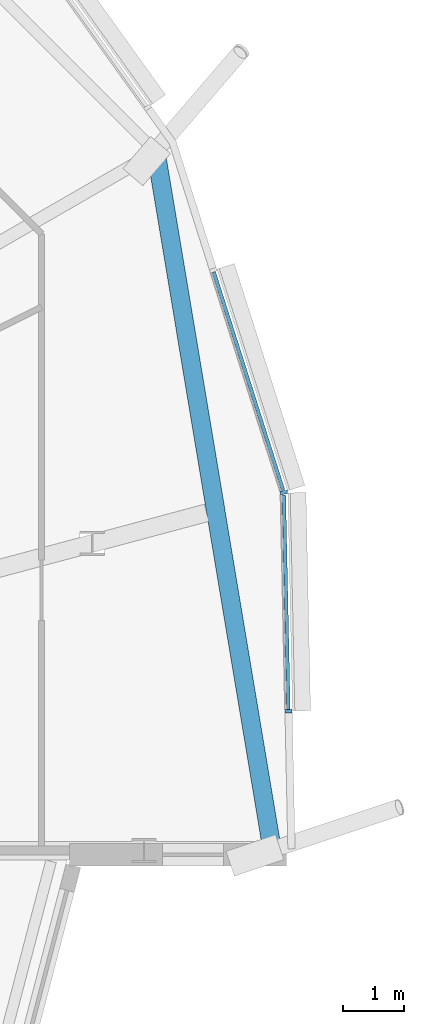
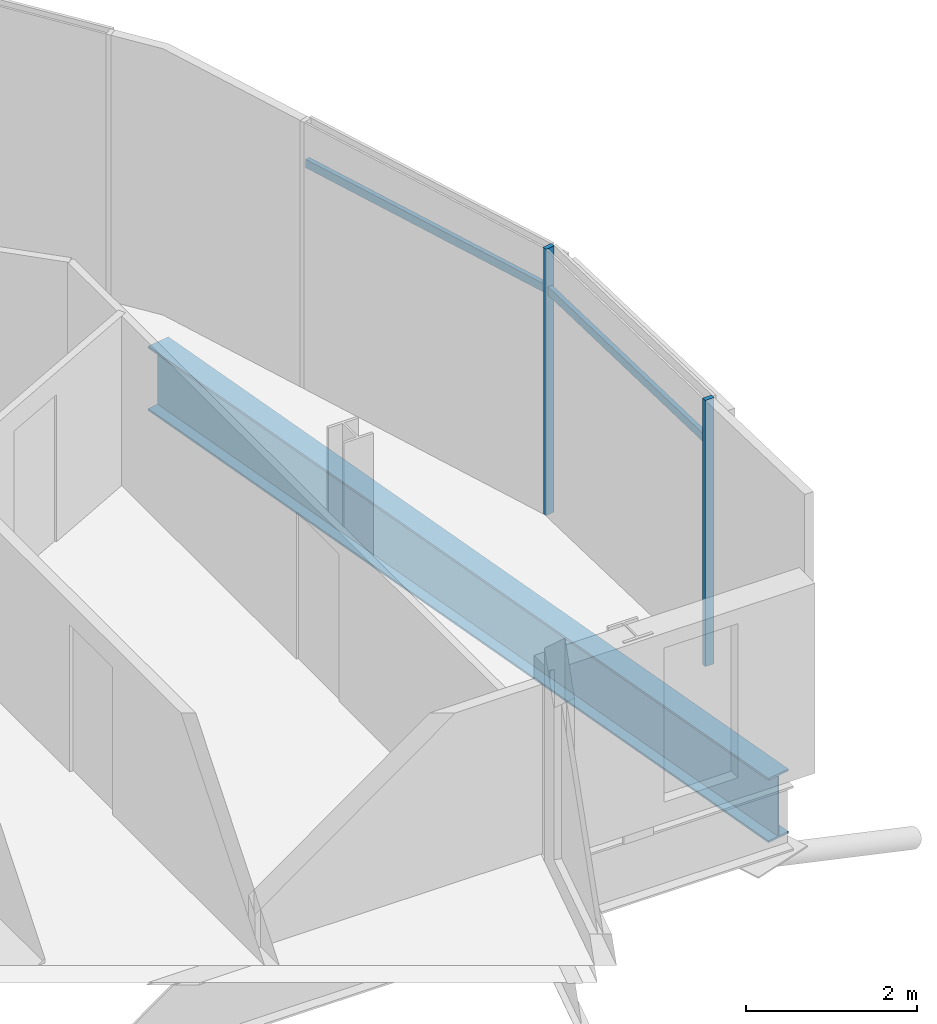
# One storey, part 15 of 39: 4 members, 1 beam, 1 element without a shape of its own.
"""IFC4 building model written with IfcOpenShell, lengths in metres."""

import ifcopenshell
import ifcopenshell.guid

model = None  # the IFC model being written
_history = None  # IfcOwnerHistory: only IFC2X3 demands one
_inside = {}  # id of a spatial element -> (the spatial element, [elements in it])
_under = {}  # id of a project, library or spatial element -> (it, [spatial elements below it])
_declared = {}  # id of a project -> (the project, [libraries it declares])
_typed = {}  # id of a type object -> (the type object, [elements of that type])
_made_of = {}  # id of a material, layer set ... -> (it, [elements and type objects made of it])


def new_model(schema):
    """Start an empty IFC model of exactly this schema.

    Asked for "IFC4X3", IfcOpenShell would pick the latest addendum, in which some entities
    have other attributes; the version numbers below select the first issue.
    IFC2X3 requires an IfcOwnerHistory on every rooted entity: one is made here for all.
    """
    global model, _history
    if schema == "IFC4X3":
        model = ifcopenshell.file(schema_version=(4, 3, 0, 0))
    else:
        model = ifcopenshell.file(schema=schema)
    _inside.clear()
    _under.clear()
    _declared.clear()
    _typed.clear()
    _made_of.clear()
    _history = None
    if model.schema == "IFC2X3":
        org = make("IfcOrganization", Name="unknown")
        user = make(
            "IfcPersonAndOrganization",
            ThePerson=make("IfcPerson", FamilyName="unknown"),
            TheOrganization=org,
        )
        app = make(
            "IfcApplication",
            ApplicationDeveloper=org,
            Version="unknown",
            ApplicationFullName="unknown",
            ApplicationIdentifier="unknown",
        )
        _history = make(
            "IfcOwnerHistory",
            OwningUser=user,
            OwningApplication=app,
            ChangeAction="ADDED",
            CreationDate=0,
        )
    return model


def make(cls, **values):
    """One entity of the class cls with the attributes given. An attribute that is None is left unset."""
    return model.create_entity(
        cls, **{name: value for name, value in values.items() if value is not None}
    )


def rooted(cls, **values):
    """An entity with a GlobalId (a new one), such as an element, a storey or a relation."""
    return make(cls, GlobalId=ifcopenshell.guid.new(), OwnerHistory=_history, **values)


def si_unit(unit_type, name, prefix=None):
    """IfcSIUnit, for example si_unit("LENGTHUNIT", "METRE", prefix="MILLI")."""
    return make("IfcSIUnit", UnitType=unit_type, Prefix=prefix, Name=name)


def assignment(units):
    """IfcUnitAssignment: the units of a project."""
    return None if units is None else make("IfcUnitAssignment", Units=units)


def point(xyz):
    """IfcCartesianPoint."""
    return None if xyz is None else make("IfcCartesianPoint", Coordinates=xyz)


def direction(xyz):
    """IfcDirection."""
    return None if xyz is None else make("IfcDirection", DirectionRatios=xyz)


def frame(location, z_axis=None, x_axis=None):
    """IfcAxis2Placement3D, a coordinate frame: its origin and axes. An axis left out is left unset."""
    return make(
        "IfcAxis2Placement3D",
        Location=point(location),
        Axis=direction(z_axis),
        RefDirection=direction(x_axis),
    )


def frame_2d(location, x_axis=None):
    """IfcAxis2Placement2D, a coordinate frame in the plane: its origin and x axis."""
    return make(
        "IfcAxis2Placement2D", Location=point(location), RefDirection=direction(x_axis)
    )


def origin():
    """The frame at (0, 0, 0) with its axes left unset."""
    return frame((0.0, 0.0, 0.0))


def origin_2d():
    """The frame at (0, 0) in the plane with its x axis left unset."""
    return frame_2d((0.0, 0.0))


def place(relative_to, where):
    """IfcLocalPlacement: puts the frame where relative to a parent placement (None: the world)."""
    return make(
        "IfcLocalPlacement", PlacementRelTo=relative_to, RelativePlacement=where
    )


def context(
    kind, dimensions, precision=None, world=None, true_north=None, identifier=None
):
    """IfcGeometricRepresentationContext, for example the 3D "Model" context."""
    return make(
        "IfcGeometricRepresentationContext",
        ContextIdentifier=identifier,
        ContextType=kind,
        CoordinateSpaceDimension=dimensions,
        Precision=precision,
        WorldCoordinateSystem=world,
        TrueNorth=true_north,
    )


def subcontext(parent, identifier, kind, view, scale=None):
    """IfcGeometricRepresentationSubContext, for example "Body" below "Model"."""
    return make(
        "IfcGeometricRepresentationSubContext",
        ContextIdentifier=identifier,
        ContextType=kind,
        ParentContext=parent,
        TargetScale=scale,
        TargetView=view,
    )


def project(units=None, contexts=None):
    """IfcProject with its units and contexts."""
    return rooted(
        "IfcProject",
        Name="project",
        RepresentationContexts=contexts,
        UnitsInContext=assignment(units),
    )


def spatial(cls, under=None, at=None, **own):
    """A site, building, storey or space (cls), placed at a placement, below another one or the project."""
    s = rooted(cls, ObjectPlacement=at, **own)
    if under is not None:
        _under.setdefault(under.id(), (under, []))[1].append(s)
    return s


def profile(cls, at=None, kind="AREA", **sizes):
    """A parametric profile (cls). Its sizes go by their IFC names, for example OverallWidth=200.0."""
    return make(cls, ProfileType=kind, Position=at, **sizes)


def rectangle(**sizes):
    """IfcRectangleProfileDef."""
    return profile("IfcRectangleProfileDef", **sizes)


def i_section(**sizes):
    """IfcIShapeProfileDef."""
    return profile("IfcIShapeProfileDef", **sizes)


def extrude(swept, where, along, depth):
    """IfcExtrudedAreaSolid: the profile swept, set in the frame where, extruded along a direction by depth."""
    return make(
        "IfcExtrudedAreaSolid",
        SweptArea=swept,
        Position=where,
        ExtrudedDirection=direction(along),
        Depth=depth,
    )


def shape(context_of_items, identifier, shape_type, items):
    """IfcShapeRepresentation: the items that make up one representation, for example the "Body"."""
    return make(
        "IfcShapeRepresentation",
        ContextOfItems=context_of_items,
        RepresentationIdentifier=identifier,
        RepresentationType=shape_type,
        Items=items,
    )


def material(Name=None, Category=None):
    """IfcMaterial."""
    return make("IfcMaterial", Name=Name, Category=Category)


def material_profile(
    of_material, cross_section, Name=None, Category=None, Priority=None
):
    """IfcMaterialProfile: a cross section and its material."""
    return make(
        "IfcMaterialProfile",
        Name=Name,
        Material=of_material,
        Profile=cross_section,
        Priority=Priority,
        Category=Category,
    )


def profile_set(profiles, Name=None, composite=None):
    """IfcMaterialProfileSet."""
    return make(
        "IfcMaterialProfileSet",
        Name=Name,
        MaterialProfiles=profiles,
        CompositeProfile=composite,
    )


def made_of(thing, what):
    """Note that an element or type object is made of a material, layer set ...; save() writes the relation."""
    if what is not None:
        _made_of.setdefault(what.id(), (what, []))[1].append(thing)
    return thing


def type_object(cls, material=None, **own):
    """A type object (cls), such as IfcWallType, which elements share."""
    return made_of(rooted(cls, **own), material)


def element(
    cls,
    number,
    at=None,
    inside=None,
    cuts=None,
    type_object=None,
    material=None,
    context=None,
    identifier="Body",
    shape_type=None,
    held_by="IfcProductDefinitionShape",
    body=None,
    shapes=None,
    **own,
):
    """One element of the class cls, such as IfcWall. Its Tag is "e" and its number.

    at: its placement. inside: the storey or other place that contains it. cuts: it is an
    opening in that element (IfcRelVoidsElement). A single representation is given by context,
    identifier, shape_type and body (its items); several are given by shapes. held_by: the class
    of the entity that holds the representations. save() writes the other relations.
    """
    e = rooted(cls, Tag="e%d" % number, ObjectPlacement=at, **own)
    if body is not None:
        shapes = [shape(context, identifier, shape_type, body)]
    if shapes is not None:
        e.Representation = make(held_by, Representations=shapes)
    if inside is not None:
        _inside.setdefault(inside.id(), (inside, []))[1].append(e)
    if cuts is not None:
        rooted(
            "IfcRelVoidsElement", RelatingBuildingElement=cuts, RelatedOpeningElement=e
        )
    if type_object is not None:
        _typed.setdefault(type_object.id(), (type_object, []))[1].append(e)
    return made_of(e, material)


def aggregate(whole, parts):
    """IfcRelAggregates: a whole, such as a stair, and the parts it consists of."""
    return rooted("IfcRelAggregates", RelatingObject=whole, RelatedObjects=parts)


def save(model, path):
    """Write the relations noted so far, then the file.

    IfcRelAggregates (storeys below a building ...), IfcRelContainedInSpatialStructure (elements
    in a storey), IfcRelDefinesByType, IfcRelAssociatesMaterial and IfcRelDeclares: one each for
    every whole, place, type object, material and project.
    """
    for whole, parts in _under.values():
        aggregate(whole, parts)
    for where, things in _inside.values():
        rooted(
            "IfcRelContainedInSpatialStructure",
            RelatedElements=things,
            RelatingStructure=where,
        )
    for kind, things in _typed.values():
        rooted("IfcRelDefinesByType", RelatedObjects=things, RelatingType=kind)
    for what, things in _made_of.values():
        rooted("IfcRelAssociatesMaterial", RelatedObjects=things, RelatingMaterial=what)
    for by, libraries in _declared.values():
        rooted("IfcRelDeclares", RelatingContext=by, RelatedDefinitions=libraries)
    model.write(path)


model = new_model("IFC4")

# Units and contexts
model_context = context("Model", 3, precision=1e-05, world=origin(), true_north=direction((0.0, 1.0)))
body_context = subcontext(model_context, "Body", "Model", "MODEL_VIEW")
ifc_project = project(units=[si_unit("LENGTHUNIT", "METRE"), si_unit("AREAUNIT", "SQUARE_METRE"), si_unit("VOLUMEUNIT", "CUBIC_METRE"), si_unit("PLANEANGLEUNIT", "RADIAN"), si_unit("MASSUNIT", "GRAM", prefix="KILO")], contexts=[model_context])

# Site, building, storey
site_placement = place(None, origin())
site = spatial("IfcSite", under=ifc_project, at=site_placement, CompositionType="ELEMENT")
building_placement = place(site_placement, origin())
building = spatial("IfcBuilding", under=site, at=building_placement, Name="Rimbun Link Towers", CompositionType="ELEMENT")
storey_placement = place(building_placement, frame((0.0, 0.0, 96.800048828125)))
storey = spatial("IfcBuildingStorey", under=building, at=storey_placement, Name="L23", CompositionType="ELEMENT", Elevation=96.800048828125)

# Curtain wall, members
ifc_material_1 = material(Name="Aluminium 6063-T6 and low-iron glass", Category="aluminium")
curtain_wall_type = type_object("IfcCurtainWallType", Name="CW1-Z2 unitised vision wall (zone 2)", PredefinedType="NOTDEFINED", material=ifc_material_1)
curtain_wall_placement = place(storey_placement, origin())
curtain_wall = element("IfcCurtainWall", 1, at=curtain_wall_placement, inside=storey, type_object=curtain_wall_type, Name="CW1 L23 T2", PredefinedType="NOTDEFINED")
ifc_material_2 = material(Name="Aluminium 6063-T6", Category="aluminium")
ifc_material_profile_1 = material_profile(ifc_material_2, rectangle(XDim=0.1201171875, YDim=0.06005859375, at=origin_2d()), Name="MULLION 60X120")
ifc_profile_set_1 = profile_set([ifc_material_profile_1], Name="Aluminium 6063-T6")
member_type_1 = type_object("IfcMemberType", Name="CW1 mullion 60X120", PredefinedType="MULLION", material=ifc_profile_set_1)
member_1_placement = place(storey_placement, frame((53.81396484375, 5.906005859375, 0.0), z_axis=(0.0, 0.0, 1.0), x_axis=(0.986502827503, 0.16374422533, 0.0)))
member_1 = element("IfcMember", 2, at=member_1_placement, type_object=member_type_1, Name="CW1 mullion", PredefinedType="MULLION", context=body_context, shape_type="SweptSolid", body=[
    extrude(rectangle(XDim=0.1201171875, YDim=0.06005859375, at=origin_2d()), origin(), (0.0, 0.0, 1.0), 3.800048828125),
])
member_2_placement = place(storey_placement, frame((53.890625, 2.30078125, 0.0), z_axis=(0.0, 0.0, 1.0), x_axis=(0.999778219026, 0.021059742681, 0.0)))
member_2 = element("IfcMember", 3, at=member_2_placement, type_object=member_type_1, Name="CW1 mullion", PredefinedType="MULLION", context=body_context, shape_type="SweptSolid", body=[
    extrude(rectangle(XDim=0.1201171875, YDim=0.06005859375, at=origin_2d()), origin(), (0.0, 0.0, 1.0), 3.800048828125),
])
ifc_material_3 = material(Name="Aluminium 6063-T6", Category="aluminium")
ifc_material_profile_2 = material_profile(ifc_material_3, rectangle(XDim=0.06005859375, YDim=0.1201171875, at=origin_2d()), Name="TRANSOM 60X120")
ifc_profile_set_2 = profile_set([ifc_material_profile_2], Name="Aluminium 6063-T6")
member_type_2 = type_object("IfcMemberType", Name="CW1 transom 60X120", PredefinedType="USERDEFINED", material=ifc_profile_set_2)
member_3_placement = place(storey_placement, frame((53.8134765625, 5.867431640625, 3.199951171875), z_axis=(0.021050146241, -0.999778421123, 0.0), x_axis=(0.999778421123, 0.021050146241, 0.0)))
member_3 = element("IfcMember", 4, at=member_3_placement, type_object=member_type_2, Name="CW1 transom", ObjectType="TRANSOM", PredefinedType="USERDEFINED", context=body_context, shape_type="SweptSolid", body=[
    extrude(rectangle(XDim=0.06005859375, YDim=0.1201171875, at=origin_2d()), origin(), (0.0, 0.0, 1.0), 3.537353515625),
])
member_4_placement = place(storey_placement, frame((52.656494140625, 9.540771484375, 3.199951171875), z_axis=(0.303104913501, -0.952957192854, 0.0), x_axis=(0.952957192854, 0.303104913501, 0.0)))
member_4 = element("IfcMember", 5, at=member_4_placement, type_object=member_type_2, Name="CW1 transom", ObjectType="TRANSOM", PredefinedType="USERDEFINED", context=body_context, shape_type="SweptSolid", body=[
    extrude(rectangle(XDim=0.06005859375, YDim=0.1201171875, at=origin_2d()), origin(), (0.0, 0.0, 1.0), 3.776123046875),
])
aggregate(curtain_wall, [member_1, member_2, member_3, member_4])

# Beam
ifc_material_4 = material(Name="Steel S355J2", Category="steel")
ifc_material_profile_3 = material_profile(ifc_material_4, i_section(OverallWidth=0.305419921875, OverallDepth=0.91845703125, WebThickness=0.017333984375, FlangeThickness=0.02783203125, at=origin_2d()), Name="UB 914x305x253")
ifc_profile_set_3 = profile_set([ifc_material_profile_3], Name="Steel S355J2")
beam_type = type_object("IfcBeamType", Name="UB 914x305x253", PredefinedType="BEAM", material=ifc_profile_set_3)
beam_placement = place(storey_placement, frame((53.596435546875, 0.15380859375, -0.619140625), z_axis=(-0.16423937898, 0.986420511948, 0.0), x_axis=(-0.986420511948, -0.16423937898, 0.0)))
element("IfcBeam", 6, at=beam_placement, inside=storey, type_object=beam_type, Name="Edge beam T2 L23 21-23", PredefinedType="BEAM", context=body_context, shape_type="SweptSolid", body=[
    extrude(i_section(OverallWidth=0.305419921875, OverallDepth=0.91845703125, WebThickness=0.017333984375, FlangeThickness=0.02783203125, at=origin_2d()), origin(), (0.0, 0.0, 1.0), 11.410400390625),
])

save(model, "model.ifc")
